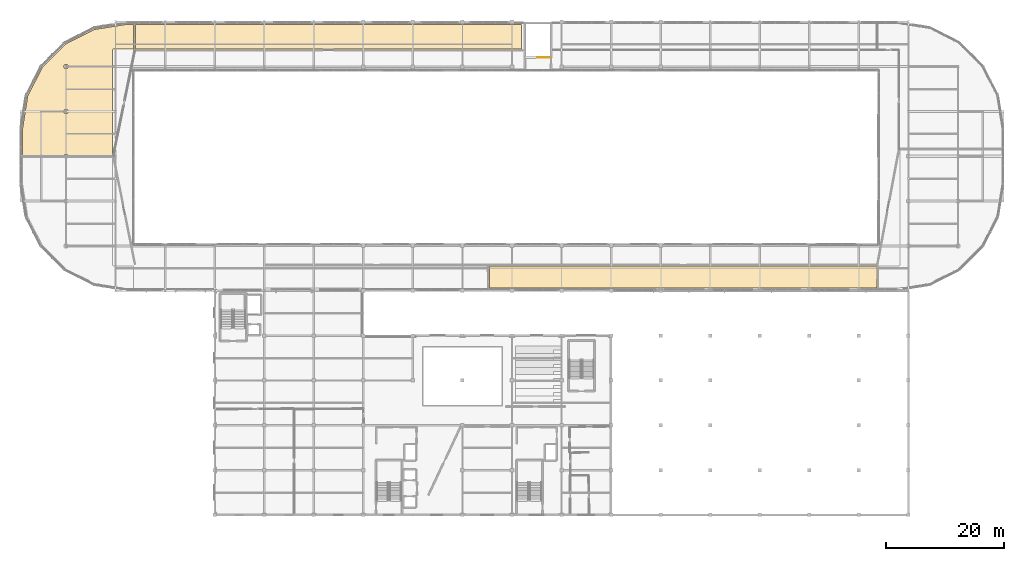
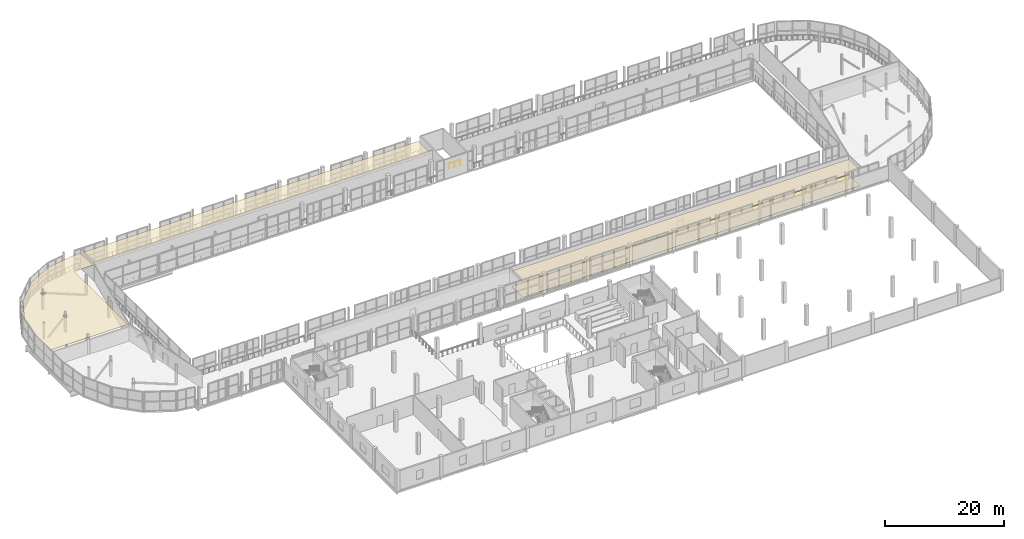
# One storey, part 148 of 151: 4 coverings, 1 railing.
"""IFC4 building model written with IfcOpenShell, lengths in metres."""

from ifc_helpers import new_model, si_unit, direction, frame, origin, origin_2d, place, context, subcontext, project, spatial, polyline, circle, outline, extrude, material, layer, layer_set, type_object, element, save


model = new_model("IFC4")

# Units and contexts
model_context = context("Model", 3, precision=1e-05, world=origin(), true_north=direction((0.0, 1.0)))
body_context = subcontext(model_context, "Body", "Model", "MODEL_VIEW")
ifc_project = project(units=[si_unit("LENGTHUNIT", "METRE"), si_unit("AREAUNIT", "SQUARE_METRE"), si_unit("VOLUMEUNIT", "CUBIC_METRE"), si_unit("PLANEANGLEUNIT", "RADIAN"), si_unit("MASSUNIT", "GRAM", prefix="KILO")], contexts=[model_context])

# Site, building, storey
site_placement = place(None, origin())
site = spatial("IfcSite", under=ifc_project, at=site_placement, CompositionType="ELEMENT")
building_placement = place(site_placement, origin())
building = spatial("IfcBuilding", under=site, at=building_placement, Name="Zuvorla Pavilion Media Centre", CompositionType="ELEMENT")
storey_placement = place(building_placement, frame((0.0, 0.0, 13.800048828125)))
storey = spatial("IfcBuildingStorey", under=building, at=storey_placement, Name="L03", CompositionType="ELEMENT", Elevation=13.800048828125)

# Coverings
ifc_material_1 = material(Name="Perforated gypsum acoustic studio ceiling")
ifc_layer_1 = layer(ifc_material_1, 0.0400390625)
ifc_layer_set_1 = layer_set([ifc_layer_1], Name="Perforated gypsum acoustic studio ceiling")
covering_type_1 = type_object("IfcCoveringType", Name="COV-CLG-ACOUST", PredefinedType="CEILING", material=ifc_layer_set_1)
covering_1_placement = place(storey_placement, frame((0.0, 0.0, 3.179931640625)))
element("IfcCovering", 1, at=covering_1_placement, inside=storey, type_object=covering_type_1, Name="L03 acoustic ceiling 8", PredefinedType="CEILING", context=body_context, shape_type="SweptSolid", body=[
    extrude(outline(polyline([(91.63671875, 44.449951171875), (88.159912109375, 44.449951171875), (88.159912109375, 48.239990234375), (153.85009765625, 48.239990234375), (153.85009765625, 44.449951171875), (117.5634765625, 44.449951171875), (117.553466796875, 44.45361328125), (117.539306640625, 44.45703125), (117.524658203125, 44.459228515625), (117.510009765625, 44.4599609375), (116.889892578125, 44.4599609375), (116.875244140625, 44.459228515625), (116.860595703125, 44.45703125), (116.846435546875, 44.45361328125), (116.836669921875, 44.449951171875), (109.163330078125, 44.449951171875), (109.153564453125, 44.45361328125), (109.139404296875, 44.45703125), (109.124755859375, 44.459228515625), (109.110107421875, 44.4599609375), (108.489990234375, 44.4599609375), (108.475341796875, 44.459228515625), (108.460693359375, 44.45703125), (108.446533203125, 44.45361328125), (108.4365234375, 44.449951171875), (100.763427734375, 44.449951171875), (100.75341796875, 44.45361328125), (100.7392578125, 44.45703125), (100.724609375, 44.459228515625), (100.7099609375, 44.4599609375), (100.090087890625, 44.4599609375), (100.0751953125, 44.459228515625), (100.060791015625, 44.45703125), (100.04638671875, 44.45361328125), (100.03662109375, 44.449951171875), (92.36328125, 44.449951171875), (92.353515625, 44.45361328125), (92.33935546875, 44.45703125), (92.32470703125, 44.459228515625), (92.31005859375, 44.4599609375), (91.68994140625, 44.4599609375), (91.67529296875, 44.459228515625), (91.66064453125, 44.45703125), (91.646484375, 44.45361328125), (91.63671875, 44.449951171875)])), origin(), (0.0, 0.0, 1.0), 0.0400390625),
])
covering_2_placement = place(storey_placement, frame((0.0, 0.0, 3.179931640625)))
element("IfcCovering", 2, at=covering_2_placement, inside=storey, type_object=covering_type_1, Name="L03 acoustic ceiling 10", PredefinedType="CEILING", context=body_context, shape_type="SweptSolid", body=[
    extrude(outline(polyline([(28.14990234375, 89.14990234375), (66.4365234375, 89.14990234375), (66.446533203125, 89.146484375), (66.460693359375, 89.142822265625), (66.475341796875, 89.140625), (66.489990234375, 89.139892578125), (67.110107421875, 89.139892578125), (67.124755859375, 89.140625), (67.139404296875, 89.142822265625), (67.153564453125, 89.146484375), (67.163330078125, 89.14990234375), (74.836669921875, 89.14990234375), (74.846435546875, 89.146484375), (74.860595703125, 89.142822265625), (74.875244140625, 89.140625), (74.889892578125, 89.139892578125), (75.510009765625, 89.139892578125), (75.524658203125, 89.140625), (75.539306640625, 89.142822265625), (75.553466796875, 89.146484375), (75.5634765625, 89.14990234375), (83.236572265625, 89.14990234375), (83.24658203125, 89.146484375), (83.2607421875, 89.142822265625), (83.275390625, 89.140625), (83.2900390625, 89.139892578125), (83.909912109375, 89.139892578125), (83.9248046875, 89.140625), (83.939208984375, 89.142822265625), (83.95361328125, 89.146484375), (83.96337890625, 89.14990234375), (91.63671875, 89.14990234375), (91.646484375, 89.146484375), (91.66064453125, 89.142822265625), (91.67529296875, 89.140625), (91.68994140625, 89.139892578125), (92.31005859375, 89.139892578125), (92.32470703125, 89.140625), (92.33935546875, 89.142822265625), (92.353515625, 89.146484375), (92.36328125, 89.14990234375), (93.64990234375, 89.14990234375), (93.64990234375, 84.9599609375), (28.14990234375, 84.9599609375), (28.14990234375, 89.14990234375)])), origin(), (0.0, 0.0, 1.0), 0.0400390625),
])
covering_3_placement = place(storey_placement, frame((0.0, 0.0, 3.179931640625)))
element("IfcCovering", 3, at=covering_3_placement, inside=storey, type_object=covering_type_1, Name="L03 acoustic ceiling 11", PredefinedType="CEILING", context=body_context, shape_type="SweptSolid", body=[
    extrude(outline(polyline([(16.28759765625, 85.793701171875), (21.178466796875, 88.28564453125), (26.635498046875, 89.14990234375), (27.840087890625, 89.14990234375), (27.840087890625, 84.9599609375), (24.39892578125, 84.9599609375), (24.38427734375, 84.959228515625), (24.36962890625, 84.95703125), (24.36865234375, 84.956787109375), (24.365478515625, 84.956298828125), (24.364501953125, 84.9560546875), (24.35009765625, 84.9521484375), (24.336181640625, 84.94677734375), (24.33447265625, 84.94580078125), (24.322509765625, 84.93994140625), (24.321533203125, 84.939453125), (24.310791015625, 84.932861328125), (24.30078125, 84.92529296875), (24.29931640625, 84.92431640625), (24.286865234375, 84.9130859375), (24.27587890625, 84.90087890625), (24.274658203125, 84.8994140625), (24.26708984375, 84.88916015625), (24.260498046875, 84.87841796875), (24.260009765625, 84.87744140625), (24.254150390625, 84.865478515625), (24.253662109375, 84.86474609375), (24.25341796875, 84.86376953125), (24.247802734375, 84.849853515625), (24.243896484375, 84.83544921875), (24.243896484375, 84.83447265625), (24.2431640625, 84.831298828125), (24.242919921875, 84.830322265625), (24.24072265625, 84.81591796875), (24.239990234375, 84.801025390625), (24.239990234375, 66.9599609375), (16.714599609375, 66.9599609375), (16.714599609375, 66.97021484375), (16.7138671875, 66.985107421875), (16.711669921875, 66.99951171875), (16.7080078125, 67.013916015625), (16.703125, 67.027587890625), (16.697021484375, 67.041015625), (16.689208984375, 67.0537109375), (16.6806640625, 67.0654296875), (16.670654296875, 67.076416015625), (16.659912109375, 67.086181640625), (16.64794921875, 67.094970703125), (16.63525390625, 67.1025390625), (16.6220703125, 67.10888671875), (16.608154296875, 67.11376953125), (16.593994140625, 67.117431640625), (16.579345703125, 67.11962890625), (16.564697265625, 67.120361328125), (16.2353515625, 67.120361328125), (16.220703125, 67.11962890625), (16.2060546875, 67.117431640625), (16.19189453125, 67.11376953125), (16.177978515625, 67.10888671875), (16.164794921875, 67.1025390625), (16.152099609375, 67.094970703125), (16.14013671875, 67.086181640625), (16.12939453125, 67.076416015625), (16.119384765625, 67.0654296875), (16.110595703125, 67.0537109375), (16.10302734375, 67.041015625), (16.0966796875, 67.027587890625), (16.091796875, 67.013916015625), (16.08837890625, 66.99951171875), (16.086181640625, 66.985107421875), (16.08544921875, 66.97021484375), (16.08544921875, 66.9599609375), (9.050048828125, 66.9599609375), (9.050048828125, 71.564697265625), (9.914306640625, 77.021484375), (12.40625, 81.912353515625), (16.28759765625, 85.793701171875)]), holes=[polyline([(16.08544921875, 81.82958984375), (16.086181640625, 81.81494140625), (16.08837890625, 81.80029296875), (16.091796875, 81.7861328125), (16.0966796875, 81.772216796875), (16.10302734375, 81.759033203125), (16.110595703125, 81.746337890625), (16.119384765625, 81.734619140625), (16.12939453125, 81.7236328125), (16.14013671875, 81.713623046875), (16.152099609375, 81.705078125), (16.164794921875, 81.697509765625), (16.177978515625, 81.691162109375), (16.19189453125, 81.686279296875), (16.2060546875, 81.6826171875), (16.220703125, 81.680419921875), (16.2353515625, 81.6796875), (16.564697265625, 81.6796875), (16.579345703125, 81.680419921875), (16.593994140625, 81.6826171875), (16.608154296875, 81.686279296875), (16.6220703125, 81.691162109375), (16.63525390625, 81.697509765625), (16.64794921875, 81.705078125), (16.659912109375, 81.713623046875), (16.670654296875, 81.7236328125), (16.6806640625, 81.734619140625), (16.689208984375, 81.746337890625), (16.697021484375, 81.759033203125), (16.703125, 81.772216796875), (16.7080078125, 81.7861328125), (16.711669921875, 81.80029296875), (16.7138671875, 81.81494140625), (16.714599609375, 81.82958984375), (16.714599609375, 82.17041015625), (16.7138671875, 82.18505859375), (16.711669921875, 82.19970703125), (16.7080078125, 82.2138671875), (16.703125, 82.227783203125), (16.697021484375, 82.240966796875), (16.689208984375, 82.253662109375), (16.6806640625, 82.265380859375), (16.670654296875, 82.2763671875), (16.659912109375, 82.286376953125), (16.64794921875, 82.294921875), (16.63525390625, 82.302490234375), (16.6220703125, 82.308837890625), (16.608154296875, 82.313720703125), (16.593994140625, 82.3173828125), (16.579345703125, 82.319580078125), (16.564697265625, 82.3203125), (16.2353515625, 82.3203125), (16.220703125, 82.319580078125), (16.2060546875, 82.3173828125), (16.19189453125, 82.313720703125), (16.177978515625, 82.308837890625), (16.164794921875, 82.302490234375), (16.152099609375, 82.294921875), (16.14013671875, 82.286376953125), (16.12939453125, 82.2763671875), (16.119384765625, 82.265380859375), (16.110595703125, 82.253662109375), (16.10302734375, 82.240966796875), (16.0966796875, 82.227783203125), (16.091796875, 82.2138671875), (16.08837890625, 82.19970703125), (16.086181640625, 82.18505859375), (16.08544921875, 82.17041015625), (16.08544921875, 81.82958984375)]), polyline([(16.2353515625, 74.72021484375), (16.220703125, 74.719482421875), (16.2060546875, 74.71728515625), (16.19189453125, 74.7138671875), (16.177978515625, 74.708984375), (16.164794921875, 74.70263671875), (16.152099609375, 74.695068359375), (16.14013671875, 74.686279296875), (16.12939453125, 74.676513671875), (16.119384765625, 74.66552734375), (16.110595703125, 74.653564453125), (16.10302734375, 74.64111328125), (16.0966796875, 74.627685546875), (16.091796875, 74.61376953125), (16.08837890625, 74.599609375), (16.086181640625, 74.5849609375), (16.08544921875, 74.5703125), (16.08544921875, 74.229736328125), (16.086181640625, 74.215087890625), (16.08837890625, 74.200439453125), (16.091796875, 74.186279296875), (16.0966796875, 74.17236328125), (16.10302734375, 74.158935546875), (16.110595703125, 74.146484375), (16.119384765625, 74.134521484375), (16.12939453125, 74.12353515625), (16.14013671875, 74.11376953125), (16.152099609375, 74.10498046875), (16.164794921875, 74.097412109375), (16.177978515625, 74.091064453125), (16.19189453125, 74.086181640625), (16.2060546875, 74.08251953125), (16.220703125, 74.080322265625), (16.2353515625, 74.07958984375), (16.564697265625, 74.07958984375), (16.579345703125, 74.080322265625), (16.593994140625, 74.08251953125), (16.608154296875, 74.086181640625), (16.6220703125, 74.091064453125), (16.63525390625, 74.097412109375), (16.64794921875, 74.10498046875), (16.659912109375, 74.11376953125), (16.670654296875, 74.12353515625), (16.6806640625, 74.134521484375), (16.689208984375, 74.146484375), (16.697021484375, 74.158935546875), (16.703125, 74.17236328125), (16.7080078125, 74.186279296875), (16.711669921875, 74.200439453125), (16.7138671875, 74.215087890625), (16.714599609375, 74.229736328125), (16.714599609375, 74.5703125), (16.7138671875, 74.5849609375), (16.711669921875, 74.599609375), (16.7080078125, 74.61376953125), (16.703125, 74.627685546875), (16.697021484375, 74.64111328125), (16.689208984375, 74.653564453125), (16.6806640625, 74.66552734375), (16.670654296875, 74.676513671875), (16.659912109375, 74.686279296875), (16.64794921875, 74.695068359375), (16.63525390625, 74.70263671875), (16.6220703125, 74.708984375), (16.608154296875, 74.7138671875), (16.593994140625, 74.71728515625), (16.579345703125, 74.719482421875), (16.564697265625, 74.72021484375), (16.2353515625, 74.72021484375)])]), origin(), (0.0, 0.0, 1.0), 0.0400390625),
])
ifc_material_2 = material(Name="Floating resilient acoustic hardwood studio floor", Category="wood")
ifc_layer_2 = layer(ifc_material_2, 0.050048828125)
ifc_layer_set_2 = layer_set([ifc_layer_2], Name="Floating resilient acoustic hardwood studio floor")
covering_type_2 = type_object("IfcCoveringType", Name="COV-FLR-ACOUST", PredefinedType="FLOORING", material=ifc_layer_set_2)
covering_4_placement = place(storey_placement, origin())
element("IfcCovering", 4, at=covering_4_placement, inside=storey, type_object=covering_type_2, Name="L03 acoustic studio floor 12", PredefinedType="FLOORING", context=body_context, shape_type="SweptSolid", body=[
    extrude(outline(polyline([(91.63671875, 44.449951171875), (88.159912109375, 44.449951171875), (88.159912109375, 48.239990234375), (153.85009765625, 48.239990234375), (153.85009765625, 44.449951171875), (117.5634765625, 44.449951171875), (117.553466796875, 44.45361328125), (117.539306640625, 44.45703125), (117.524658203125, 44.459228515625), (117.510009765625, 44.4599609375), (116.889892578125, 44.4599609375), (116.875244140625, 44.459228515625), (116.860595703125, 44.45703125), (116.846435546875, 44.45361328125), (116.836669921875, 44.449951171875), (109.163330078125, 44.449951171875), (109.153564453125, 44.45361328125), (109.139404296875, 44.45703125), (109.124755859375, 44.459228515625), (109.110107421875, 44.4599609375), (108.489990234375, 44.4599609375), (108.475341796875, 44.459228515625), (108.460693359375, 44.45703125), (108.446533203125, 44.45361328125), (108.4365234375, 44.449951171875), (100.763427734375, 44.449951171875), (100.75341796875, 44.45361328125), (100.7392578125, 44.45703125), (100.724609375, 44.459228515625), (100.7099609375, 44.4599609375), (100.090087890625, 44.4599609375), (100.0751953125, 44.459228515625), (100.060791015625, 44.45703125), (100.04638671875, 44.45361328125), (100.03662109375, 44.449951171875), (92.36328125, 44.449951171875), (92.353515625, 44.45361328125), (92.33935546875, 44.45703125), (92.32470703125, 44.459228515625), (92.31005859375, 44.4599609375), (91.68994140625, 44.4599609375), (91.67529296875, 44.459228515625), (91.66064453125, 44.45703125), (91.646484375, 44.45361328125), (91.63671875, 44.449951171875)])), origin(), (0.0, 0.0, 1.0), 0.050048828125),
])

# Railing
ifc_material_3 = material(Name="Powder-coated steel balustrade guard", Category="steel")
railing_type = type_object("IfcRailingType", Name="RL-INT-GRD", PredefinedType="BALUSTRADE", material=ifc_material_3)
railing_placement = place(storey_placement, frame((98.5, 83.5, 0.0)))
element("IfcRailing", 5, at=railing_placement, inside=storey, type_object=railing_type, Name="L03 ST-05 top well guard 1", PredefinedType="BALUSTRADE", context=body_context, shape_type="SweptSolid", body=[
    extrude(circle(Radius=0.02392578125, at=origin_2d()), frame((-0.02880859375, 0.0, 1.09619140625), z_axis=(-1.0, 0.0, 0.0), x_axis=(0.0, -1.0, 0.0)), (0.0, 0.0, 1.0), 2.142333984375),
    extrude(circle(Radius=0.02099609375, at=origin_2d()), origin(), (0.0, 0.0, 1.0), 1.070068359375),
    extrude(circle(Radius=0.02099609375, at=origin_2d()), frame((-1.10009765625, 0.0, 0.0)), (0.0, 0.0, 1.0), 1.070068359375),
    extrude(circle(Radius=0.02099609375, at=origin_2d()), frame((-2.199951171875, 0.0, 0.0)), (0.0, 0.0, 1.0), 1.070068359375),
])

save(model, "model.ifc")
